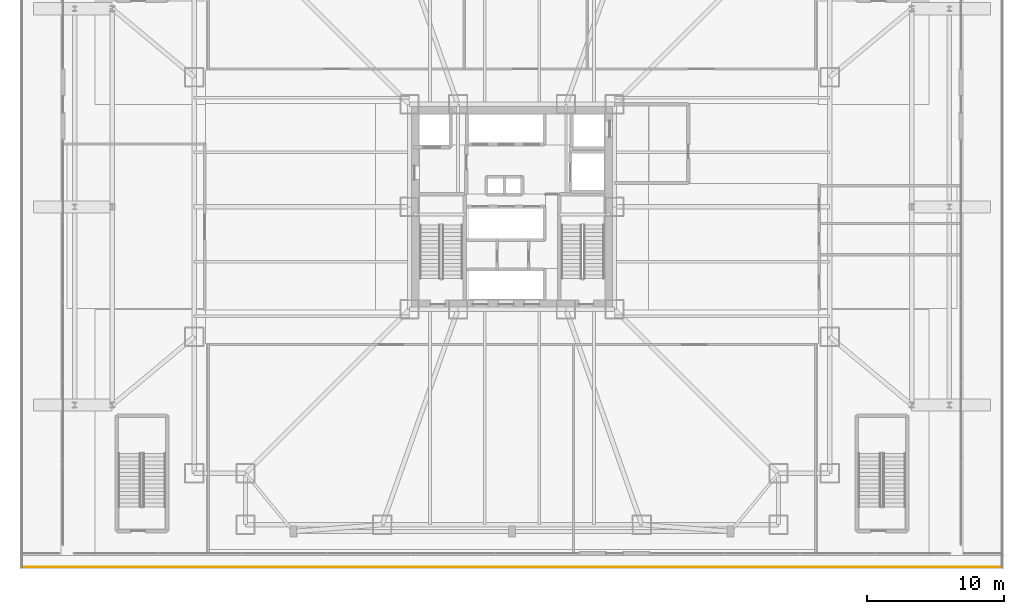
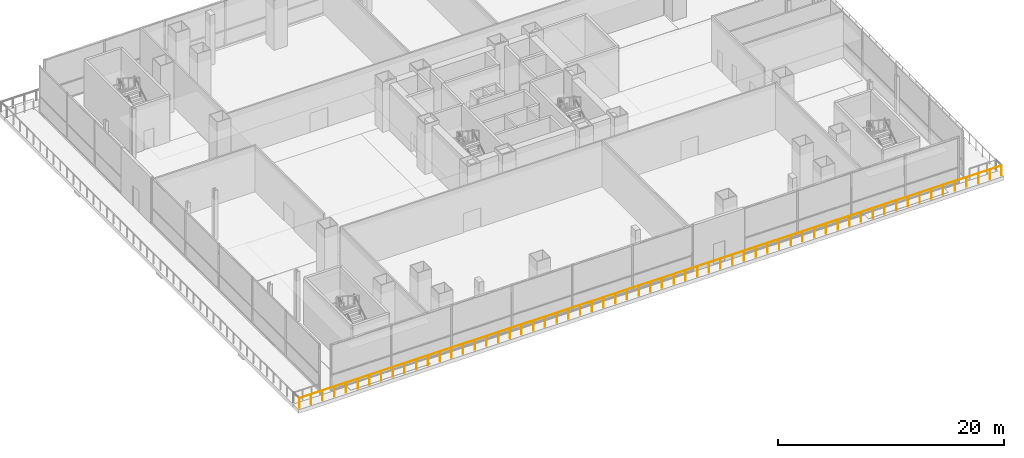
# One storey, part 28 of 36: 1 railing.
"""IFC4 building model written with IfcOpenShell, lengths in metres."""

from ifc_helpers import new_model, si_unit, direction, frame, origin, origin_2d, place, context, subcontext, project, spatial, circle, extrude, material, type_object, element, save


model = new_model("IFC4")

# Units and contexts
model_context = context("Model", 3, precision=1e-05, world=origin(), true_north=direction((0.0, 1.0)))
body_context = subcontext(model_context, "Body", "Model", "MODEL_VIEW")
ifc_project = project(units=[si_unit("LENGTHUNIT", "METRE"), si_unit("AREAUNIT", "SQUARE_METRE"), si_unit("VOLUMEUNIT", "CUBIC_METRE"), si_unit("PLANEANGLEUNIT", "RADIAN"), si_unit("MASSUNIT", "GRAM", prefix="KILO")], contexts=[model_context])

# Site, building, storey
site_placement = place(None, origin())
site = spatial("IfcSite", under=ifc_project, at=site_placement, CompositionType="ELEMENT")
building_placement = place(site_placement, origin())
building = spatial("IfcBuilding", under=site, at=building_placement, Name="Trevonay Congress Spire", CompositionType="ELEMENT")
storey_placement = place(building_placement, frame((0.0, 0.0, 16.199951171875)))
storey = spatial("IfcBuildingStorey", under=building, at=storey_placement, Name="L03", CompositionType="ELEMENT", Elevation=16.199951171875)

# Railing
ifc_material = material(Name="Pale Anodised Aluminium EN AW-6063-T6", Category="aluminium")
railing_type = type_object("IfcRailingType", Name="RAL-EXT-GUARD-115", PredefinedType="GUARDRAIL", material=ifc_material)
railing_placement = place(storey_placement, frame((-35.85009765625, -26.35009765625, 0.0)))
element("IfcRailing", 1, at=railing_placement, inside=storey, type_object=railing_type, Name="L03 perimeter safety guard GRD-L03-TER-S-2", PredefinedType="GUARDRAIL", context=body_context, shape_type="SweptSolid", body=[
    extrude(circle(Radius=0.02392578125, at=origin_2d()), frame((0.0, 0.0, 1.1259765625), z_axis=(1.0, 0.0, 0.0), x_axis=(0.0, 1.0, 0.0)), (0.0, 0.0, 1.0), 71.7001953125),
    extrude(circle(Radius=0.02099609375, at=origin_2d()), origin(), (0.0, 0.0, 1.0), 1.101806640625),
    extrude(circle(Radius=0.02099609375, at=origin_2d()), frame((1.195068359375, 0.0, 0.0)), (0.0, 0.0, 1.0), 1.101806640625),
    extrude(circle(Radius=0.02099609375, at=origin_2d()), frame((2.389892578125, 0.0, 0.0)), (0.0, 0.0, 1.0), 1.101806640625),
    extrude(circle(Radius=0.02099609375, at=origin_2d()), frame((3.5849609375, 0.0, 0.0)), (0.0, 0.0, 1.0), 1.101806640625),
    extrude(circle(Radius=0.02099609375, at=origin_2d()), frame((4.780029296875, 0.0, 0.0)), (0.0, 0.0, 1.0), 1.101806640625),
    extrude(circle(Radius=0.02099609375, at=origin_2d()), frame((5.97509765625, 0.0, 0.0)), (0.0, 0.0, 1.0), 1.101806640625),
    extrude(circle(Radius=0.02099609375, at=origin_2d()), frame((7.169921875, 0.0, 0.0)), (0.0, 0.0, 1.0), 1.101806640625),
    extrude(circle(Radius=0.02099609375, at=origin_2d()), frame((8.364990234375, 0.0, 0.0)), (0.0, 0.0, 1.0), 1.101806640625),
    extrude(circle(Radius=0.02099609375, at=origin_2d()), frame((9.56005859375, 0.0, 0.0)), (0.0, 0.0, 1.0), 1.101806640625),
    extrude(circle(Radius=0.02099609375, at=origin_2d()), frame((10.755126953125, 0.0, 0.0)), (0.0, 0.0, 1.0), 1.101806640625),
    extrude(circle(Radius=0.02099609375, at=origin_2d()), frame((11.949951171875, 0.0, 0.0)), (0.0, 0.0, 1.0), 1.101806640625),
    extrude(circle(Radius=0.02099609375, at=origin_2d()), frame((13.14501953125, 0.0, 0.0)), (0.0, 0.0, 1.0), 1.101806640625),
    extrude(circle(Radius=0.02099609375, at=origin_2d()), frame((14.340087890625, 0.0, 0.0)), (0.0, 0.0, 1.0), 1.101806640625),
    extrude(circle(Radius=0.02099609375, at=origin_2d()), frame((15.53515625, 0.0, 0.0)), (0.0, 0.0, 1.0), 1.101806640625),
    extrude(circle(Radius=0.02099609375, at=origin_2d()), frame((16.72998046875, 0.0, 0.0)), (0.0, 0.0, 1.0), 1.101806640625),
    extrude(circle(Radius=0.02099609375, at=origin_2d()), frame((17.925048828125, 0.0, 0.0)), (0.0, 0.0, 1.0), 1.101806640625),
    extrude(circle(Radius=0.02099609375, at=origin_2d()), frame((19.1201171875, 0.0, 0.0)), (0.0, 0.0, 1.0), 1.101806640625),
    extrude(circle(Radius=0.02099609375, at=origin_2d()), frame((20.31494140625, 0.0, 0.0)), (0.0, 0.0, 1.0), 1.101806640625),
    extrude(circle(Radius=0.02099609375, at=origin_2d()), frame((21.510009765625, 0.0, 0.0)), (0.0, 0.0, 1.0), 1.101806640625),
    extrude(circle(Radius=0.02099609375, at=origin_2d()), frame((22.705078125, 0.0, 0.0)), (0.0, 0.0, 1.0), 1.101806640625),
    extrude(circle(Radius=0.02099609375, at=origin_2d()), frame((23.900146484375, 0.0, 0.0)), (0.0, 0.0, 1.0), 1.101806640625),
    extrude(circle(Radius=0.02099609375, at=origin_2d()), frame((25.094970703125, 0.0, 0.0)), (0.0, 0.0, 1.0), 1.101806640625),
    extrude(circle(Radius=0.02099609375, at=origin_2d()), frame((26.2900390625, 0.0, 0.0)), (0.0, 0.0, 1.0), 1.101806640625),
    extrude(circle(Radius=0.02099609375, at=origin_2d()), frame((27.485107421875, 0.0, 0.0)), (0.0, 0.0, 1.0), 1.101806640625),
    extrude(circle(Radius=0.02099609375, at=origin_2d()), frame((28.68017578125, 0.0, 0.0)), (0.0, 0.0, 1.0), 1.101806640625),
    extrude(circle(Radius=0.02099609375, at=origin_2d()), frame((29.875, 0.0, 0.0)), (0.0, 0.0, 1.0), 1.101806640625),
    extrude(circle(Radius=0.02099609375, at=origin_2d()), frame((31.070068359375, 0.0, 0.0)), (0.0, 0.0, 1.0), 1.101806640625),
    extrude(circle(Radius=0.02099609375, at=origin_2d()), frame((32.26513671875, 0.0, 0.0)), (0.0, 0.0, 1.0), 1.101806640625),
    extrude(circle(Radius=0.02099609375, at=origin_2d()), frame((33.460205078125, 0.0, 0.0)), (0.0, 0.0, 1.0), 1.101806640625),
    extrude(circle(Radius=0.02099609375, at=origin_2d()), frame((34.655029296875, 0.0, 0.0)), (0.0, 0.0, 1.0), 1.101806640625),
    extrude(circle(Radius=0.02099609375, at=origin_2d()), frame((35.85009765625, 0.0, 0.0)), (0.0, 0.0, 1.0), 1.101806640625),
    extrude(circle(Radius=0.02099609375, at=origin_2d()), frame((37.045166015625, 0.0, 0.0)), (0.0, 0.0, 1.0), 1.101806640625),
    extrude(circle(Radius=0.02099609375, at=origin_2d()), frame((38.239990234375, 0.0, 0.0)), (0.0, 0.0, 1.0), 1.101806640625),
    extrude(circle(Radius=0.02099609375, at=origin_2d()), frame((39.43505859375, 0.0, 0.0)), (0.0, 0.0, 1.0), 1.101806640625),
    extrude(circle(Radius=0.02099609375, at=origin_2d()), frame((40.630126953125, 0.0, 0.0)), (0.0, 0.0, 1.0), 1.101806640625),
    extrude(circle(Radius=0.02099609375, at=origin_2d()), frame((41.8251953125, 0.0, 0.0)), (0.0, 0.0, 1.0), 1.101806640625),
    extrude(circle(Radius=0.02099609375, at=origin_2d()), frame((43.02001953125, 0.0, 0.0)), (0.0, 0.0, 1.0), 1.101806640625),
    extrude(circle(Radius=0.02099609375, at=origin_2d()), frame((44.215087890625, 0.0, 0.0)), (0.0, 0.0, 1.0), 1.101806640625),
    extrude(circle(Radius=0.02099609375, at=origin_2d()), frame((45.41015625, 0.0, 0.0)), (0.0, 0.0, 1.0), 1.101806640625),
    extrude(circle(Radius=0.02099609375, at=origin_2d()), frame((46.605224609375, 0.0, 0.0)), (0.0, 0.0, 1.0), 1.101806640625),
    extrude(circle(Radius=0.02099609375, at=origin_2d()), frame((47.800048828125, 0.0, 0.0)), (0.0, 0.0, 1.0), 1.101806640625),
    extrude(circle(Radius=0.02099609375, at=origin_2d()), frame((48.9951171875, 0.0, 0.0)), (0.0, 0.0, 1.0), 1.101806640625),
    extrude(circle(Radius=0.02099609375, at=origin_2d()), frame((50.190185546875, 0.0, 0.0)), (0.0, 0.0, 1.0), 1.101806640625),
    extrude(circle(Radius=0.02099609375, at=origin_2d()), frame((51.38525390625, 0.0, 0.0)), (0.0, 0.0, 1.0), 1.101806640625),
    extrude(circle(Radius=0.02099609375, at=origin_2d()), frame((52.580078125, 0.0, 0.0)), (0.0, 0.0, 1.0), 1.101806640625),
    extrude(circle(Radius=0.02099609375, at=origin_2d()), frame((53.775146484375, 0.0, 0.0)), (0.0, 0.0, 1.0), 1.101806640625),
    extrude(circle(Radius=0.02099609375, at=origin_2d()), frame((54.97021484375, 0.0, 0.0)), (0.0, 0.0, 1.0), 1.101806640625),
    extrude(circle(Radius=0.02099609375, at=origin_2d()), frame((56.1650390625, 0.0, 0.0)), (0.0, 0.0, 1.0), 1.101806640625),
    extrude(circle(Radius=0.02099609375, at=origin_2d()), frame((57.360107421875, 0.0, 0.0)), (0.0, 0.0, 1.0), 1.101806640625),
    extrude(circle(Radius=0.02099609375, at=origin_2d()), frame((58.55517578125, 0.0, 0.0)), (0.0, 0.0, 1.0), 1.101806640625),
    extrude(circle(Radius=0.02099609375, at=origin_2d()), frame((59.750244140625, 0.0, 0.0)), (0.0, 0.0, 1.0), 1.101806640625),
    extrude(circle(Radius=0.02099609375, at=origin_2d()), frame((60.945068359375, 0.0, 0.0)), (0.0, 0.0, 1.0), 1.101806640625),
    extrude(circle(Radius=0.02099609375, at=origin_2d()), frame((62.14013671875, 0.0, 0.0)), (0.0, 0.0, 1.0), 1.101806640625),
    extrude(circle(Radius=0.02099609375, at=origin_2d()), frame((63.335205078125, 0.0, 0.0)), (0.0, 0.0, 1.0), 1.101806640625),
    extrude(circle(Radius=0.02099609375, at=origin_2d()), frame((64.5302734375, 0.0, 0.0)), (0.0, 0.0, 1.0), 1.101806640625),
    extrude(circle(Radius=0.02099609375, at=origin_2d()), frame((65.72509765625, 0.0, 0.0)), (0.0, 0.0, 1.0), 1.101806640625),
    extrude(circle(Radius=0.02099609375, at=origin_2d()), frame((66.920166015625, 0.0, 0.0)), (0.0, 0.0, 1.0), 1.101806640625),
    extrude(circle(Radius=0.02099609375, at=origin_2d()), frame((68.115234375, 0.0, 0.0)), (0.0, 0.0, 1.0), 1.101806640625),
    extrude(circle(Radius=0.02099609375, at=origin_2d()), frame((69.310302734375, 0.0, 0.0)), (0.0, 0.0, 1.0), 1.101806640625),
    extrude(circle(Radius=0.02099609375, at=origin_2d()), frame((70.505126953125, 0.0, 0.0)), (0.0, 0.0, 1.0), 1.101806640625),
    extrude(circle(Radius=0.02099609375, at=origin_2d()), frame((71.7001953125, 0.0, 0.0)), (0.0, 0.0, 1.0), 1.101806640625),
])

save(model, "model.ifc")
